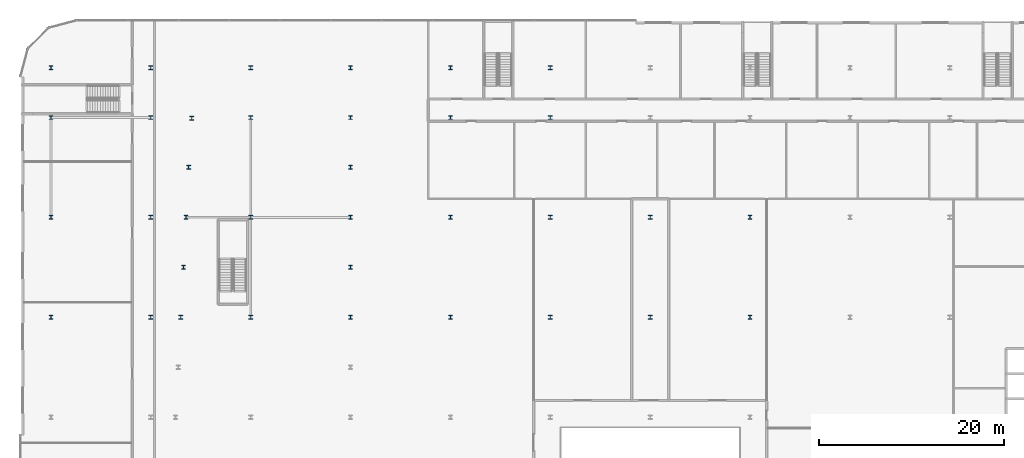
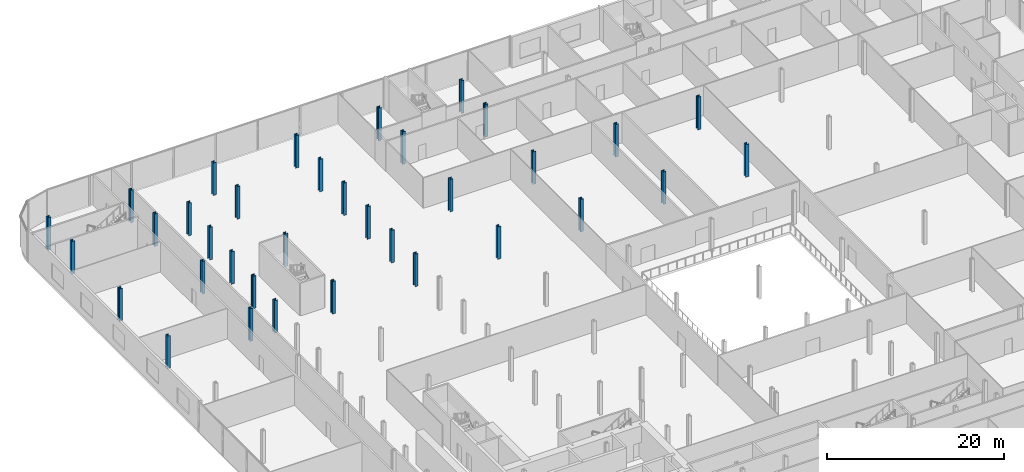
# One storey, part 4 of 47: 35 columns.
"""IFC4 building model written with IfcOpenShell, lengths in metres."""

import ifcopenshell
import ifcopenshell.guid

model = None  # the IFC model being written
_history = None  # IfcOwnerHistory: only IFC2X3 demands one
_inside = {}  # id of a spatial element -> (the spatial element, [elements in it])
_under = {}  # id of a project, library or spatial element -> (it, [spatial elements below it])
_declared = {}  # id of a project -> (the project, [libraries it declares])
_typed = {}  # id of a type object -> (the type object, [elements of that type])
_made_of = {}  # id of a material, layer set ... -> (it, [elements and type objects made of it])


def new_model(schema):
    """Start an empty IFC model of exactly this schema.

    Asked for "IFC4X3", IfcOpenShell would pick the latest addendum, in which some entities
    have other attributes; the version numbers below select the first issue.
    IFC2X3 requires an IfcOwnerHistory on every rooted entity: one is made here for all.
    """
    global model, _history
    if schema == "IFC4X3":
        model = ifcopenshell.file(schema_version=(4, 3, 0, 0))
    else:
        model = ifcopenshell.file(schema=schema)
    _inside.clear()
    _under.clear()
    _declared.clear()
    _typed.clear()
    _made_of.clear()
    _history = None
    if model.schema == "IFC2X3":
        org = make("IfcOrganization", Name="unknown")
        user = make(
            "IfcPersonAndOrganization",
            ThePerson=make("IfcPerson", FamilyName="unknown"),
            TheOrganization=org,
        )
        app = make(
            "IfcApplication",
            ApplicationDeveloper=org,
            Version="unknown",
            ApplicationFullName="unknown",
            ApplicationIdentifier="unknown",
        )
        _history = make(
            "IfcOwnerHistory",
            OwningUser=user,
            OwningApplication=app,
            ChangeAction="ADDED",
            CreationDate=0,
        )
    return model


def make(cls, **values):
    """One entity of the class cls with the attributes given. An attribute that is None is left unset."""
    return model.create_entity(
        cls, **{name: value for name, value in values.items() if value is not None}
    )


def rooted(cls, **values):
    """An entity with a GlobalId (a new one), such as an element, a storey or a relation."""
    return make(cls, GlobalId=ifcopenshell.guid.new(), OwnerHistory=_history, **values)


def si_unit(unit_type, name, prefix=None):
    """IfcSIUnit, for example si_unit("LENGTHUNIT", "METRE", prefix="MILLI")."""
    return make("IfcSIUnit", UnitType=unit_type, Prefix=prefix, Name=name)


def assignment(units):
    """IfcUnitAssignment: the units of a project."""
    return None if units is None else make("IfcUnitAssignment", Units=units)


def point(xyz):
    """IfcCartesianPoint."""
    return None if xyz is None else make("IfcCartesianPoint", Coordinates=xyz)


def direction(xyz):
    """IfcDirection."""
    return None if xyz is None else make("IfcDirection", DirectionRatios=xyz)


def frame(location, z_axis=None, x_axis=None):
    """IfcAxis2Placement3D, a coordinate frame: its origin and axes. An axis left out is left unset."""
    return make(
        "IfcAxis2Placement3D",
        Location=point(location),
        Axis=direction(z_axis),
        RefDirection=direction(x_axis),
    )


def frame_2d(location, x_axis=None):
    """IfcAxis2Placement2D, a coordinate frame in the plane: its origin and x axis."""
    return make(
        "IfcAxis2Placement2D", Location=point(location), RefDirection=direction(x_axis)
    )


def origin():
    """The frame at (0, 0, 0) with its axes left unset."""
    return frame((0.0, 0.0, 0.0))


def origin_2d():
    """The frame at (0, 0) in the plane with its x axis left unset."""
    return frame_2d((0.0, 0.0))


def place(relative_to, where):
    """IfcLocalPlacement: puts the frame where relative to a parent placement (None: the world)."""
    return make(
        "IfcLocalPlacement", PlacementRelTo=relative_to, RelativePlacement=where
    )


def context(
    kind, dimensions, precision=None, world=None, true_north=None, identifier=None
):
    """IfcGeometricRepresentationContext, for example the 3D "Model" context."""
    return make(
        "IfcGeometricRepresentationContext",
        ContextIdentifier=identifier,
        ContextType=kind,
        CoordinateSpaceDimension=dimensions,
        Precision=precision,
        WorldCoordinateSystem=world,
        TrueNorth=true_north,
    )


def subcontext(parent, identifier, kind, view, scale=None):
    """IfcGeometricRepresentationSubContext, for example "Body" below "Model"."""
    return make(
        "IfcGeometricRepresentationSubContext",
        ContextIdentifier=identifier,
        ContextType=kind,
        ParentContext=parent,
        TargetScale=scale,
        TargetView=view,
    )


def project(units=None, contexts=None):
    """IfcProject with its units and contexts."""
    return rooted(
        "IfcProject",
        Name="project",
        RepresentationContexts=contexts,
        UnitsInContext=assignment(units),
    )


def spatial(cls, under=None, at=None, **own):
    """A site, building, storey or space (cls), placed at a placement, below another one or the project."""
    s = rooted(cls, ObjectPlacement=at, **own)
    if under is not None:
        _under.setdefault(under.id(), (under, []))[1].append(s)
    return s


def profile(cls, at=None, kind="AREA", **sizes):
    """A parametric profile (cls). Its sizes go by their IFC names, for example OverallWidth=200.0."""
    return make(cls, ProfileType=kind, Position=at, **sizes)


def i_section(**sizes):
    """IfcIShapeProfileDef."""
    return profile("IfcIShapeProfileDef", **sizes)


def extrude(swept, where, along, depth):
    """IfcExtrudedAreaSolid: the profile swept, set in the frame where, extruded along a direction by depth."""
    return make(
        "IfcExtrudedAreaSolid",
        SweptArea=swept,
        Position=where,
        ExtrudedDirection=direction(along),
        Depth=depth,
    )


def shape(context_of_items, identifier, shape_type, items):
    """IfcShapeRepresentation: the items that make up one representation, for example the "Body"."""
    return make(
        "IfcShapeRepresentation",
        ContextOfItems=context_of_items,
        RepresentationIdentifier=identifier,
        RepresentationType=shape_type,
        Items=items,
    )


def material(Name=None, Category=None):
    """IfcMaterial."""
    return make("IfcMaterial", Name=Name, Category=Category)


def material_profile(
    of_material, cross_section, Name=None, Category=None, Priority=None
):
    """IfcMaterialProfile: a cross section and its material."""
    return make(
        "IfcMaterialProfile",
        Name=Name,
        Material=of_material,
        Profile=cross_section,
        Priority=Priority,
        Category=Category,
    )


def profile_set(profiles, Name=None, composite=None):
    """IfcMaterialProfileSet."""
    return make(
        "IfcMaterialProfileSet",
        Name=Name,
        MaterialProfiles=profiles,
        CompositeProfile=composite,
    )


def made_of(thing, what):
    """Note that an element or type object is made of a material, layer set ...; save() writes the relation."""
    if what is not None:
        _made_of.setdefault(what.id(), (what, []))[1].append(thing)
    return thing


def type_object(cls, material=None, **own):
    """A type object (cls), such as IfcWallType, which elements share."""
    return made_of(rooted(cls, **own), material)


def element(
    cls,
    number,
    at=None,
    inside=None,
    cuts=None,
    type_object=None,
    material=None,
    context=None,
    identifier="Body",
    shape_type=None,
    held_by="IfcProductDefinitionShape",
    body=None,
    shapes=None,
    **own,
):
    """One element of the class cls, such as IfcWall. Its Tag is "e" and its number.

    at: its placement. inside: the storey or other place that contains it. cuts: it is an
    opening in that element (IfcRelVoidsElement). A single representation is given by context,
    identifier, shape_type and body (its items); several are given by shapes. held_by: the class
    of the entity that holds the representations. save() writes the other relations.
    """
    e = rooted(cls, Tag="e%d" % number, ObjectPlacement=at, **own)
    if body is not None:
        shapes = [shape(context, identifier, shape_type, body)]
    if shapes is not None:
        e.Representation = make(held_by, Representations=shapes)
    if inside is not None:
        _inside.setdefault(inside.id(), (inside, []))[1].append(e)
    if cuts is not None:
        rooted(
            "IfcRelVoidsElement", RelatingBuildingElement=cuts, RelatedOpeningElement=e
        )
    if type_object is not None:
        _typed.setdefault(type_object.id(), (type_object, []))[1].append(e)
    return made_of(e, material)


def aggregate(whole, parts):
    """IfcRelAggregates: a whole, such as a stair, and the parts it consists of."""
    return rooted("IfcRelAggregates", RelatingObject=whole, RelatedObjects=parts)


def save(model, path):
    """Write the relations noted so far, then the file.

    IfcRelAggregates (storeys below a building ...), IfcRelContainedInSpatialStructure (elements
    in a storey), IfcRelDefinesByType, IfcRelAssociatesMaterial and IfcRelDeclares: one each for
    every whole, place, type object, material and project.
    """
    for whole, parts in _under.values():
        aggregate(whole, parts)
    for where, things in _inside.values():
        rooted(
            "IfcRelContainedInSpatialStructure",
            RelatedElements=things,
            RelatingStructure=where,
        )
    for kind, things in _typed.values():
        rooted("IfcRelDefinesByType", RelatedObjects=things, RelatingType=kind)
    for what, things in _made_of.values():
        rooted("IfcRelAssociatesMaterial", RelatedObjects=things, RelatingMaterial=what)
    for by, libraries in _declared.values():
        rooted("IfcRelDeclares", RelatingContext=by, RelatedDefinitions=libraries)
    model.write(path)


model = new_model("IFC4")

# Units and contexts
model_context = context("Model", 3, precision=1e-05, world=origin(), true_north=direction((0.0, 1.0)))
body_context = subcontext(model_context, "Body", "Model", "MODEL_VIEW")
ifc_project = project(units=[si_unit("LENGTHUNIT", "METRE"), si_unit("AREAUNIT", "SQUARE_METRE"), si_unit("VOLUMEUNIT", "CUBIC_METRE"), si_unit("PLANEANGLEUNIT", "RADIAN"), si_unit("MASSUNIT", "GRAM", prefix="KILO")], contexts=[model_context])

# Site, building, storey
site_placement = place(None, origin())
site = spatial("IfcSite", under=ifc_project, at=site_placement, CompositionType="ELEMENT")
building_placement = place(site_placement, origin())
building = spatial("IfcBuilding", under=site, at=building_placement, Name="Kheshtan School and Residences Tower", CompositionType="ELEMENT")
storey_placement = place(building_placement, frame((0.0, 0.0, 17.0)))
storey = spatial("IfcBuildingStorey", under=building, at=storey_placement, Name="L03", CompositionType="ELEMENT", Elevation=17.0)

# Columns
ifc_material = material(Name="Steel ASTM A992 Grade 50", Category="steel")
ifc_material_profile = material_profile(ifc_material, i_section(OverallWidth=0.408935546875, OverallDepth=0.425048828125, WebThickness=0.03271484375, FlangeThickness=0.052490234375, FilletRadius=0.0126953125, at=origin_2d()), Name="W360x421")
ifc_profile_set = profile_set([ifc_material_profile], Name="Steel ASTM A992 Grade 50")
column_type = type_object("IfcColumnType", Name="Column PC2 W360x421 ASTM A992 Grade 50", PredefinedType="COLUMN", material=ifc_profile_set)
for number, where, z_axis, x_axis, name in (
    (1, (15.199951171875, 78.0, 0.0), (0.0, 0.0, 1.0), (1.0, 0.0, 0.0), "Column P-073"),
    (2, (26.0, 78.0, 0.0), (0.0, 0.0, 1.0), (1.0, 0.0, 0.0), "Column P-074"),
    (3, (36.800048828125, 78.0, 0.0), (0.0, 0.0, 1.0), (1.0, 0.0, 0.0), "Column P-075"),
    (4, (47.60009765625, 78.0, 0.0), (0.0, 0.0, 1.0), (1.0, 0.0, 0.0), "Column P-076"),
    (5, (58.39990234375, 78.0, 0.0), (0.0, 0.0, 1.0), (1.0, 0.0, 0.0), "Column P-077"),
    (6, (69.199951171875, 78.0, 0.0), (0.0, 0.0, 1.0), (1.0, 0.0, 0.0), "Column P-078"),
    (7, (80.0, 78.0, 0.0), (0.0, 0.0, 1.0), (1.0, 0.0, 0.0), "Column P-079"),
    (8, (90.800048828125, 78.0, 0.0), (0.0, 0.0, 1.0), (1.0, 0.0, 0.0), "Column P-080"),
    (9, (15.199951171875, 88.800048828125, 0.0), (0.0, 0.0, 1.0), (1.0, 0.0, 0.0), "Column P-085"),
    (10, (26.0, 88.800048828125, 0.0), (0.0, 0.0, 1.0), (1.0, 0.0, 0.0), "Column P-086"),
    (11, (36.800048828125, 88.800048828125, 0.0), (0.0, 0.0, 1.0), (1.0, 0.0, 0.0), "Column P-087"),
    (12, (47.60009765625, 88.800048828125, 0.0), (0.0, 0.0, 1.0), (1.0, 0.0, 0.0), "Column P-088"),
    (13, (58.39990234375, 88.800048828125, 0.0), (0.0, 0.0, 1.0), (1.0, 0.0, 0.0), "Column P-089"),
    (14, (69.199951171875, 88.800048828125, 0.0), (0.0, 0.0, 1.0), (1.0, 0.0, 0.0), "Column P-090"),
    (15, (80.0, 88.800048828125, 0.0), (0.0, 0.0, 1.0), (1.0, 0.0, 0.0), "Column P-091"),
    (16, (90.800048828125, 88.800048828125, 0.0), (0.0, 0.0, 1.0), (1.0, 0.0, 0.0), "Column P-092"),
    (17, (15.199951171875, 99.60009765625, 0.0), (0.0, 0.0, 1.0), (1.0, 0.0, 0.0), "Column P-097"),
    (18, (26.0, 99.60009765625, 0.0), (0.0, 0.0, 1.0), (1.0, 0.0, 0.0), "Column P-098"),
    (19, (36.800048828125, 99.60009765625, 0.0), (0.0, 0.0, 1.0), (1.0, 0.0, 0.0), "Column P-099"),
    (20, (47.60009765625, 99.60009765625, 0.0), (0.0, 0.0, 1.0), (1.0, 0.0, 0.0), "Column P-100"),
    (21, (58.39990234375, 99.60009765625, 0.0), (0.0, 0.0, 1.0), (1.0, 0.0, 0.0), "Column P-101"),
    (22, (69.199951171875, 99.60009765625, 0.0), (0.0, 0.0, 1.0), (1.0, 0.0, 0.0), "Column P-102"),
    (23, (15.199951171875, 105.0, 0.0), (0.0, 0.0, 1.0), (1.0, 0.0, 0.0), "Column P-109"),
    (24, (26.0, 105.0, 0.0), (0.0, 0.0, 1.0), (1.0, 0.0, 0.0), "Column P-110"),
    (25, (36.800048828125, 105.0, 0.0), (0.0, 0.0, 1.0), (1.0, 0.0, 0.0), "Column P-111"),
    (26, (47.60009765625, 105.0, 0.0), (0.0, 0.0, 1.0), (1.0, 0.0, 0.0), "Column P-112"),
    (27, (58.39990234375, 105.0, 0.0), (0.0, 0.0, 1.0), (1.0, 0.0, 0.0), "Column P-113"),
    (28, (69.199951171875, 105.0, 0.0), (0.0, 0.0, 1.0), (1.0, 0.0, 0.0), "Column P-114"),
    (29, (29.239990234375, 78.0, 0.0), (0.0, 0.0, 1.0), (1.0, 0.0, 0.0), "Transfer column X28"),
    (30, (29.530029296875, 83.39990234375, 0.0), (0.0, 0.0, 1.0), (1.0, 0.0, 0.0), "Transfer column X29"),
    (31, (47.60009765625, 83.39990234375, 0.0), (0.0, 0.0, 1.0), (1.0, 0.0, 0.0), "Transfer column X30"),
    (32, (29.81005859375, 88.800048828125, 0.0), (0.0, 0.0, 1.0), (1.0, 0.0, 0.0), "Transfer column X31"),
    (33, (30.090087890625, 94.199951171875, 0.0), (0.0, 0.0, 1.0), (1.0, 0.0, 0.0), "Transfer column X32"),
    (34, (47.60009765625, 94.199951171875, 0.0), (0.0, 0.0, 1.0), (1.0, 0.0, 0.0), "Transfer column X33"),
    (35, (30.419921875, 99.510009765625, 0.0), (0.0, 0.0, 1.0), (1.0, 0.0, 0.0), "Transfer column X34"),
):
    element("IfcColumn", number, at=place(storey_placement, frame(where, z_axis=z_axis, x_axis=x_axis)), inside=storey, type_object=column_type, Name=name, PredefinedType="COLUMN", context=body_context, shape_type="SweptSolid", body=[
        extrude(i_section(OverallWidth=0.408935546875, OverallDepth=0.425048828125, WebThickness=0.03271484375, FlangeThickness=0.052490234375, FilletRadius=0.0126953125, at=origin_2d()), origin(), (0.0, 0.0, 1.0), 4.5),
    ])

save(model, "model.ifc")
